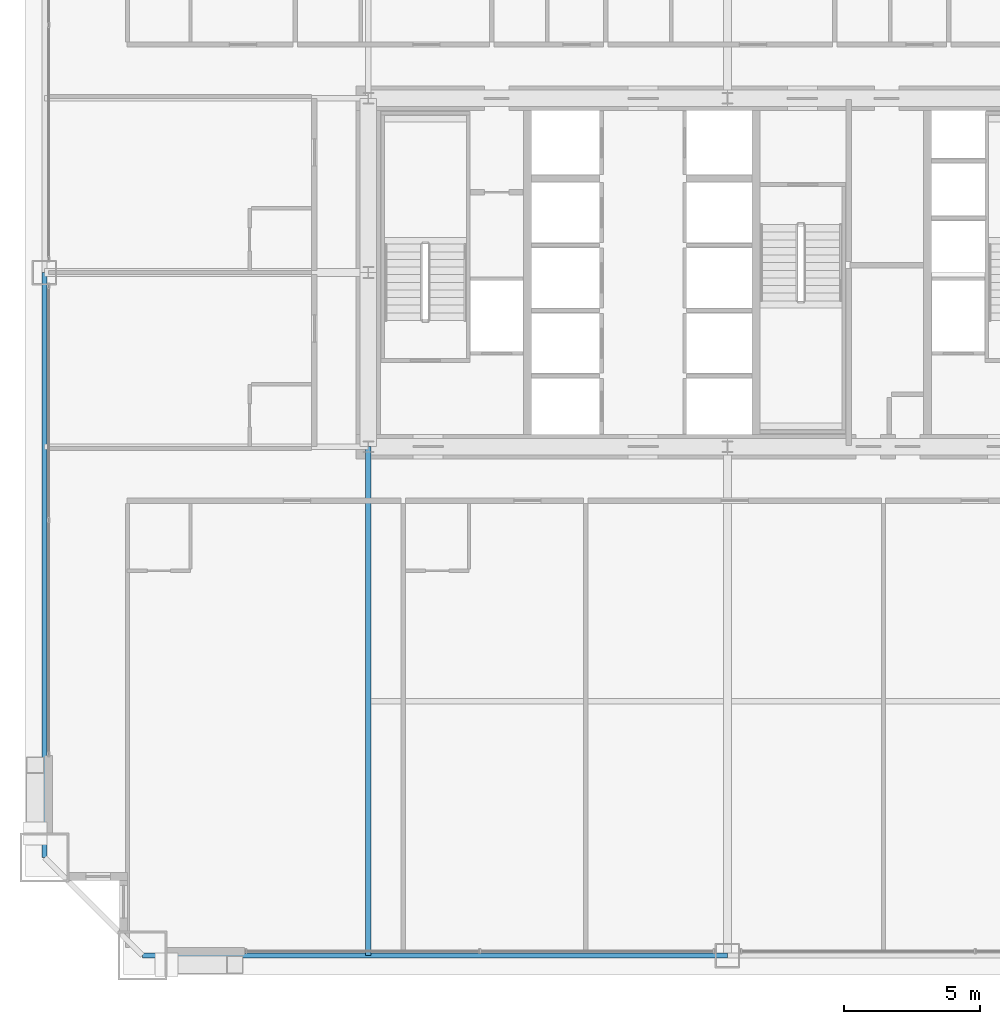
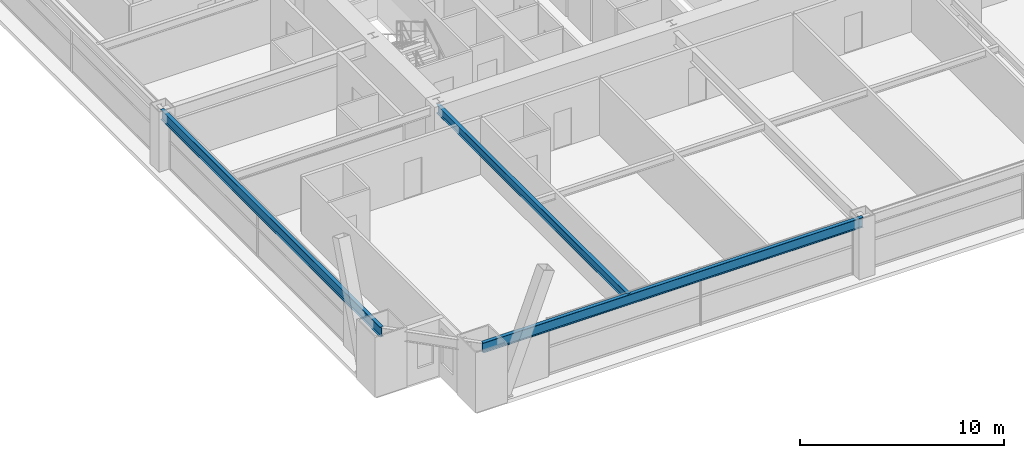
# One storey, part 4 of 43: 3 beams.
"""IFC4 building model written with IfcOpenShell, lengths in metres."""

from ifc_helpers import new_model, si_unit, direction, frame, origin, origin_2d, place, context, subcontext, project, spatial, i_section, extrude, source, transform, mapped, material, material_profile, profile_set, type_object, element, save


model = new_model("IFC4")

# Units and contexts
model_context = context("Model", 3, precision=1e-05, world=origin(), true_north=direction((0.0, 1.0)))
body_context = subcontext(model_context, "Body", "Model", "MODEL_VIEW")
ifc_project = project(units=[si_unit("LENGTHUNIT", "METRE"), si_unit("AREAUNIT", "SQUARE_METRE"), si_unit("VOLUMEUNIT", "CUBIC_METRE"), si_unit("PLANEANGLEUNIT", "RADIAN"), si_unit("MASSUNIT", "GRAM", prefix="KILO"), si_unit("THERMODYNAMICTEMPERATUREUNIT", "KELVIN"), si_unit("POWERUNIT", "WATT")], contexts=[model_context])

# Site, building, storey
site_placement = place(None, origin())
site = spatial("IfcSite", under=ifc_project, at=site_placement, CompositionType="ELEMENT")
building_placement = place(site_placement, origin())
building = spatial("IfcBuilding", under=site, at=building_placement, Name="Yuzanri Waterfront Tower", CompositionType="ELEMENT")
storey_placement = place(building_placement, frame((0.0, 0.0, 53.199951171875)))
storey = spatial("IfcBuildingStorey", under=building, at=storey_placement, Name="L13", CompositionType="ELEMENT", Elevation=53.199951171875)

# Beams
ifc_material_1 = material(Name="Steel Q355B", Category="steel")
ifc_material_profile_1 = material_profile(ifc_material_1, i_section(OverallWidth=0.199951171875, OverallDepth=0.60009765625, WebThickness=0.010986328125, FlangeThickness=0.01708984375, at=origin_2d()), Name="HN 600x200x11x17")
ifc_profile_set_1 = profile_set([ifc_material_profile_1], Name="Steel Q355B")
beam_type_1 = type_object("IfcBeamType", Name="Perimeter Spandrel Q355B HN 600x200", PredefinedType="SPANDREL", material=ifc_profile_set_1)
shared_shape_1 = source(origin(), body_context, "Body", "SweptSolid", [
    extrude(i_section(OverallWidth=0.199951171875, OverallDepth=0.60009765625, WebThickness=0.010986328125, FlangeThickness=0.01708984375, at=origin_2d()), origin(), (0.0, 0.0, 1.0), 21.5),
])
for number, where, z_axis, x_axis, name in (
    (1, (15.5, 0.699951171875, 3.080078125), (1.0, 0.0, 0.0), (0.0, 1.0, 0.0), "L13 Perimeter Spandrel S1-S2"),
    (2, (11.89990234375, 25.800048828125, 3.080078125), (0.0, -1.0, 0.0), (1.0, 0.0, 0.0), "L13 Perimeter Spandrel W2-W1"),
):
    element("IfcBeam", number, at=place(storey_placement, frame(where, z_axis=z_axis, x_axis=x_axis)), inside=storey, type_object=beam_type_1, Name=name, PredefinedType="SPANDREL", context=body_context, shape_type="MappedRepresentation", body=[
        mapped(shared_shape_1, transform((0.0, 0.0, 0.0), scale=1.0)),
    ])
ifc_material_2 = material(Name="Steel Q355B", Category="steel")
ifc_material_profile_2 = material_profile(ifc_material_2, i_section(OverallWidth=0.199951171875, OverallDepth=0.5, WebThickness=0.010009765625, FlangeThickness=0.01611328125, at=origin_2d()), Name="HN 500x200x10x16")
ifc_profile_set_2 = profile_set([ifc_material_profile_2], Name="Steel Q355B")
beam_type_2 = type_object("IfcBeamType", Name="Secondary Floor Beam Q355B HN 500x200", PredefinedType="BEAM", material=ifc_profile_set_2)
shared_shape_2 = source(origin(), body_context, "Body", "SweptSolid", [
    extrude(i_section(OverallWidth=0.199951171875, OverallDepth=0.5, WebThickness=0.010009765625, FlangeThickness=0.01611328125, at=origin_2d()), origin(), (0.0, 0.0, 1.0), 18.699951171875),
])
beam_placement = place(storey_placement, frame((23.800048828125, 19.39990234375, 3.130126953125), z_axis=(0.0, -1.0, 0.0), x_axis=(1.0, 0.0, 0.0)))
element("IfcBeam", 3, at=beam_placement, inside=storey, type_object=beam_type_2, Name="L13 South-West Core Line Beam", PredefinedType="BEAM", context=body_context, shape_type="MappedRepresentation", body=[
    mapped(shared_shape_2, transform((0.0, 0.0, 0.0), scale=1.0)),
])

save(model, "model.ifc")
